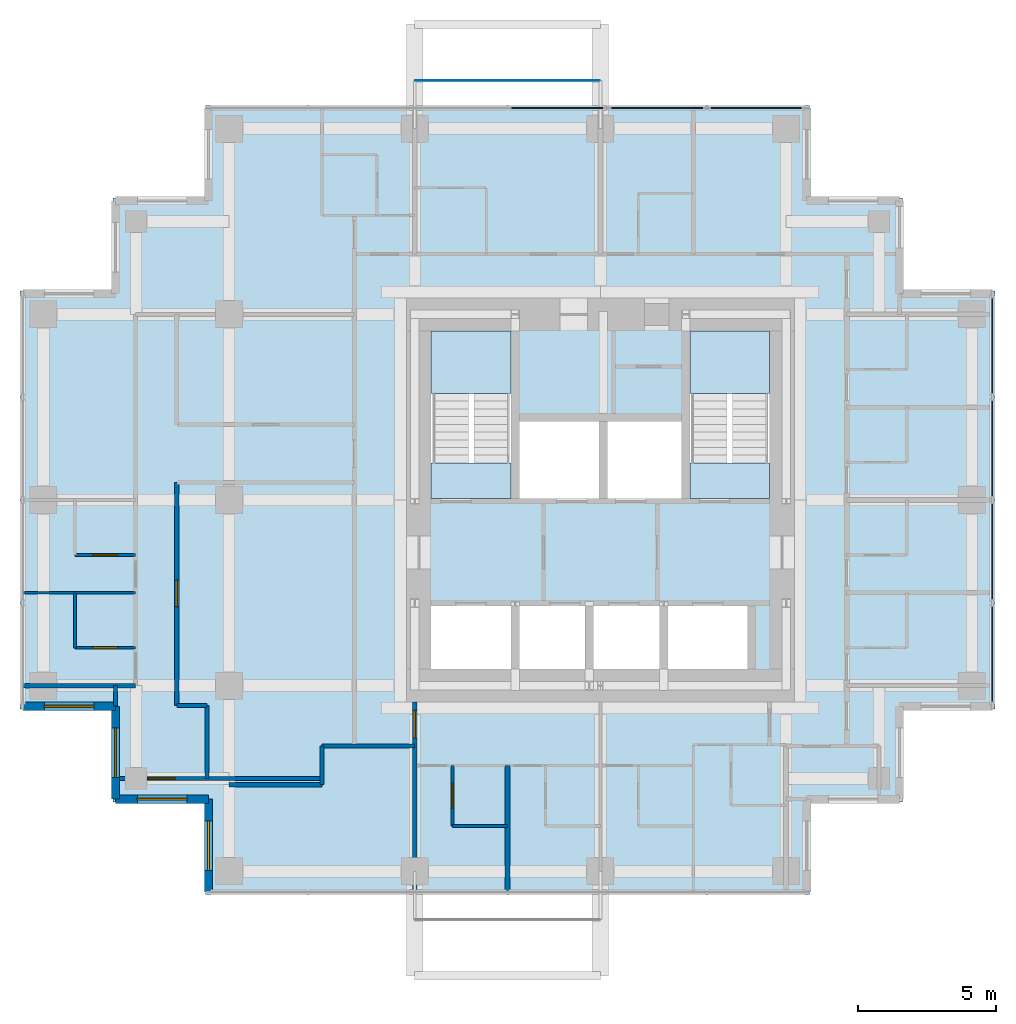
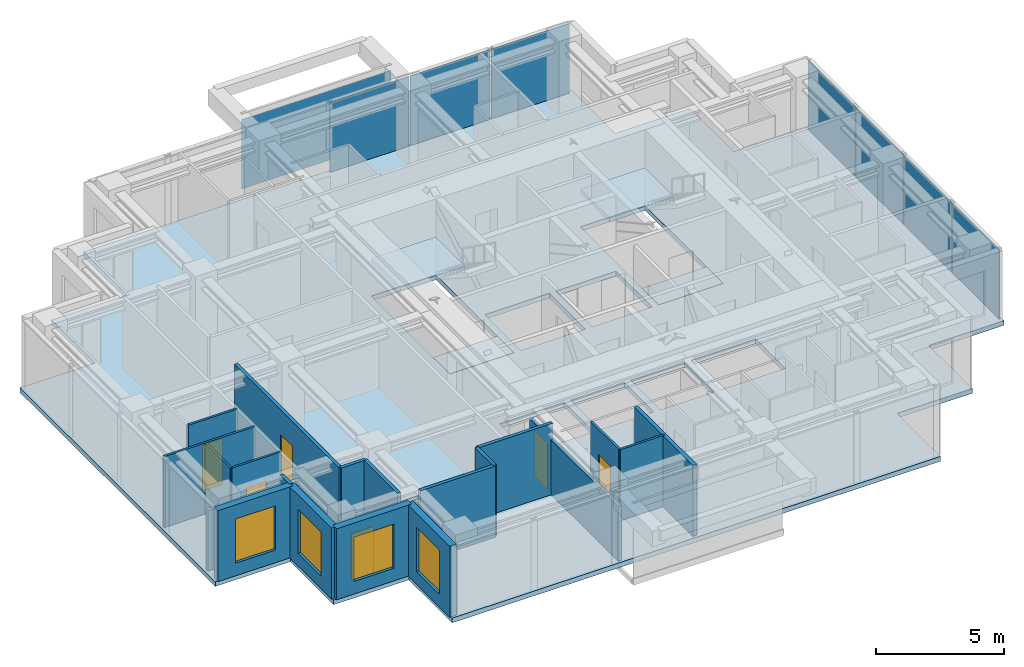
# One storey, part 3 of 8: 21 walls, 8 plates, 6 doors, 5 slabs, 4 windows, 10 openings, 4 elements without a shape of their own.
"""IFC4 building model written with IfcOpenShell, lengths in metres."""

from ifc_helpers import new_model, si_unit, direction, frame, frame_2d, origin, origin_2d, place, context, subcontext, project, spatial, polyline, rectangle, outline, extrude, material, layer, layer_set, type_object, element, fill, aggregate, save


model = new_model("IFC4")

# Units and contexts
model_context = context("Model", 3, precision=1e-05, world=origin(), true_north=direction((0.0, 1.0)))
body_context = subcontext(model_context, "Body", "Model", "MODEL_VIEW")
ifc_project = project(units=[si_unit("LENGTHUNIT", "METRE"), si_unit("AREAUNIT", "SQUARE_METRE"), si_unit("VOLUMEUNIT", "CUBIC_METRE"), si_unit("PLANEANGLEUNIT", "RADIAN"), si_unit("MASSUNIT", "GRAM", prefix="KILO")], contexts=[model_context])

# Site, building, storey
site_placement = place(None, origin())
site = spatial("IfcSite", under=ifc_project, at=site_placement, CompositionType="ELEMENT")
building_placement = place(site_placement, origin())
building = spatial("IfcBuilding", under=site, at=building_placement, Name="Nyansa Garden Tower", CompositionType="ELEMENT")
storey_placement = place(building_placement, frame((0.0, 0.0, 243.89990234375)))
storey = spatial("IfcBuildingStorey", under=building, at=storey_placement, Name="L66", CompositionType="ELEMENT", Elevation=243.89990234375)

# Curtain wall, plates
ifc_material_1 = material(Name="Black anodised aluminium, dark tinted double glazing", Category="aluminium")
curtain_wall_type = type_object("IfcCurtainWallType", Name="Inner skin curtain wall ISW-D", PredefinedType="USERDEFINED", material=ifc_material_1)
curtain_wall_1_placement = place(storey_placement, origin())
curtain_wall_1 = element("IfcCurtainWall", 1, at=curtain_wall_1_placement, inside=storey, type_object=curtain_wall_type, Name="Inner skin curtain wall L66 E", ObjectType="UNITISED CURTAIN WALL", PredefinedType="USERDEFINED")
ifc_material_2 = material(Name="Dark tinted laminated double glazing", Category="glass")
ifc_layer_1 = layer(ifc_material_2, 0.0439453125)
ifc_layer_set_1 = layer_set([ifc_layer_1], Name="Dark tinted vision panel VP-D")
plate_type_1 = type_object("IfcPlateType", Name="Dark tinted vision panel VP-D", PredefinedType="CURTAIN_PANEL", material=ifc_layer_set_1)
plate_1_placement = place(storey_placement, frame((34.5, 14.642578125, 0.0), z_axis=(0.0, 0.0, 1.0), x_axis=(0.0, 1.0, 0.0)))
plate_1 = element("IfcPlate", 2, at=plate_1_placement, type_object=plate_type_1, Name="ISW-D panel 1", PredefinedType="CURTAIN_PANEL", context=body_context, shape_type="SweptSolid", body=[
    extrude(rectangle(XDim=3.64501953125, YDim=0.0439453125, at=origin_2d()), origin(), (0.0, 0.0, 1.0), 3.304931640625),
])
plate_2_placement = place(storey_placement, frame((34.5, 18.375, 0.0), z_axis=(0.0, 0.0, 1.0), x_axis=(0.0, 1.0, 0.0)))
plate_2 = element("IfcPlate", 3, at=plate_2_placement, type_object=plate_type_1, Name="ISW-D panel 2", PredefinedType="CURTAIN_PANEL", context=body_context, shape_type="SweptSolid", body=[
    extrude(rectangle(XDim=3.679931640625, YDim=0.0439453125, at=origin_2d()), origin(), (0.0, 0.0, 1.0), 3.304931640625),
])
plate_3_placement = place(storey_placement, frame((34.5, 22.125, 0.0), z_axis=(0.0, 0.0, 1.0), x_axis=(0.0, 1.0, 0.0)))
plate_3 = element("IfcPlate", 4, at=plate_3_placement, type_object=plate_type_1, Name="ISW-D panel 3", PredefinedType="CURTAIN_PANEL", context=body_context, shape_type="SweptSolid", body=[
    extrude(rectangle(XDim=3.679931640625, YDim=0.0439453125, at=origin_2d()), origin(), (0.0, 0.0, 1.0), 3.304931640625),
])
plate_4_placement = place(storey_placement, frame((34.5, 25.857421875, 0.0), z_axis=(0.0, 0.0, 1.0), x_axis=(0.0, 1.0, 0.0)))
plate_4 = element("IfcPlate", 5, at=plate_4_placement, type_object=plate_type_1, Name="ISW-D panel 4", PredefinedType="CURTAIN_PANEL", context=body_context, shape_type="SweptSolid", body=[
    extrude(rectangle(XDim=3.64501953125, YDim=0.0439453125, at=origin_2d()), origin(), (0.0, 0.0, 1.0), 3.304931640625),
])
aggregate(curtain_wall_1, [plate_1, plate_2, plate_3, plate_4])

curtain_wall_2_placement = place(storey_placement, origin())
curtain_wall_2 = element("IfcCurtainWall", 6, at=curtain_wall_2_placement, inside=storey, type_object=curtain_wall_type, Name="Inner skin curtain wall L66 N", ObjectType="UNITISED CURTAIN WALL", PredefinedType="USERDEFINED")
plate_5_placement = place(storey_placement, frame((25.919921875, 34.5, 0.0), z_axis=(0.0, 0.0, 1.0), x_axis=(-1.0, 0.0, 0.0)))
plate_5 = element("IfcPlate", 7, at=plate_5_placement, type_object=plate_type_1, Name="ISW-D panel 1", PredefinedType="CURTAIN_PANEL", context=body_context, shape_type="SweptSolid", body=[
    extrude(rectangle(XDim=3.52001953125, YDim=0.0439453125, at=origin_2d()), origin(), (0.0, 0.0, 1.0), 3.304931640625),
])
plate_6_placement = place(storey_placement, frame((22.3125, 34.5, 0.0), z_axis=(0.0, 0.0, 1.0), x_axis=(-1.0, 0.0, 0.0)))
plate_6 = element("IfcPlate", 8, at=plate_6_placement, type_object=plate_type_1, Name="ISW-D panel 2", PredefinedType="CURTAIN_PANEL", context=body_context, shape_type="SweptSolid", body=[
    extrude(rectangle(XDim=3.554931640625, YDim=0.0439453125, at=origin_2d()), origin(), (0.0, 0.0, 1.0), 3.304931640625),
])
plate_7_placement = place(storey_placement, frame((18.6875, 34.5, 0.0), z_axis=(0.0, 0.0, 1.0), x_axis=(-1.0, 0.0, 0.0)))
plate_7 = element("IfcPlate", 9, at=plate_7_placement, type_object=plate_type_1, Name="ISW-D panel 3", PredefinedType="CURTAIN_PANEL", context=body_context, shape_type="SweptSolid", body=[
    extrude(rectangle(XDim=3.554931640625, YDim=0.0439453125, at=origin_2d()), origin(), (0.0, 0.0, 1.0), 3.304931640625),
])
aggregate(curtain_wall_2, [plate_5, plate_6, plate_7])

# Slab
ifc_material_3 = material(Name="Concrete C40/50", Category="concrete")
ifc_layer_2 = layer(ifc_material_3, 0.22509765625)
ifc_layer_set_2 = layer_set([ifc_layer_2], Name="Floor slab FS225")
slab_type_1 = type_object("IfcSlabType", Name="Floor slab FS225", PredefinedType="FLOOR", material=ifc_layer_set_2)
slab_1_placement = place(storey_placement, frame((0.0, 0.0, -0.224853515625)))
element("IfcSlab", 10, at=slab_1_placement, inside=storey, type_object=slab_type_1, Name="Floor slab L66", PredefinedType="FLOOR", context=body_context, shape_type="SweptSolid", body=[
    extrude(outline(polyline([(34.60009765625, 12.64990234375), (31.22509765625, 12.64990234375), (31.22509765625, 9.27490234375), (27.85009765625, 9.27490234375), (27.85009765625, 5.89990234375), (5.89990234375, 5.89990234375), (5.89990234375, 9.27490234375), (2.52490234375, 9.27490234375), (2.52490234375, 12.64990234375), (-0.85009765625, 12.64990234375), (-0.85009765625, 27.85009765625), (2.52490234375, 27.85009765625), (2.52490234375, 31.22509765625), (5.89990234375, 31.22509765625), (5.89990234375, 34.60009765625), (27.85009765625, 34.60009765625), (27.85009765625, 31.22509765625), (31.22509765625, 31.22509765625), (31.22509765625, 27.85009765625), (34.60009765625, 27.85009765625), (34.60009765625, 12.64990234375)]), holes=[polyline([(14.10009765625, 14.10009765625), (17.0, 14.10009765625), (17.0, 16.39990234375), (14.10009765625, 16.39990234375), (14.10009765625, 14.10009765625)]), polyline([(17.300048828125, 14.10009765625), (19.699951171875, 14.10009765625), (19.699951171875, 16.39990234375), (17.300048828125, 16.39990234375), (17.300048828125, 14.10009765625)]), polyline([(20.0, 14.10009765625), (22.39990234375, 14.10009765625), (22.39990234375, 16.39990234375), (20.0, 16.39990234375), (20.0, 14.10009765625)]), polyline([(22.699951171875, 14.10009765625), (25.60009765625, 14.10009765625), (25.60009765625, 16.39990234375), (22.699951171875, 16.39990234375), (22.699951171875, 14.10009765625)]), polyline([(17.300048828125, 20.300048828125), (20.199951171875, 20.300048828125), (20.199951171875, 23.10009765625), (17.300048828125, 23.10009765625), (17.300048828125, 20.300048828125)]), polyline([(20.5, 20.300048828125), (23.199951171875, 20.300048828125), (23.199951171875, 23.10009765625), (20.5, 23.10009765625), (20.5, 20.300048828125)]), polyline([(14.10009765625, 20.300048828125), (17.0, 20.300048828125), (17.0, 26.39990234375), (14.10009765625, 26.39990234375), (14.10009765625, 20.300048828125)]), polyline([(23.5, 20.300048828125), (26.39990234375, 20.300048828125), (26.39990234375, 26.39990234375), (23.5, 26.39990234375), (23.5, 20.300048828125)])]), origin(), (0.0, 0.0, 1.0), 0.224853515625),
])

# Plate
ifc_material_4 = material(Name="Dark tinted laminated glass", Category="glass")
ifc_layer_3 = layer(ifc_material_4, 0.02392578125)
ifc_layer_set_3 = layer_set([ifc_layer_3], Name="Outer skin glass panel OS1")
plate_type_2 = type_object("IfcPlateType", Name="Outer skin glass panel OS1", PredefinedType="USERDEFINED", material=ifc_layer_set_3)
plate_8_placement = place(storey_placement, frame((16.875, 35.5, -0.22509765625), z_axis=(0.0, 0.0, 1.0), x_axis=(1.0, 0.0, 0.0)))
element("IfcPlate", 11, at=plate_8_placement, inside=storey, type_object=plate_type_2, Name="Outer skin glass panel L66", ObjectType="OUTER SKIN GLASS", PredefinedType="USERDEFINED", context=body_context, shape_type="SweptSolid", body=[
    extrude(rectangle(XDim=6.7099609375, YDim=0.02392578125, at=origin_2d()), origin(), (0.0, 0.0, 1.0), 3.300048828125),
])

# Stair, slabs
ifc_material_5 = material(Name="Precast concrete C40/50", Category="concrete")
stair_type_1 = type_object("IfcStairType", Name="Stair S1 180x280", PredefinedType="HALF_TURN_STAIR", material=ifc_material_5)
stair_1_placement = place(storey_placement, origin())
stair_1 = element("IfcStair", 12, at=stair_1_placement, inside=storey, type_object=stair_type_1, Name="Stair S1 L66", PredefinedType="HALF_TURN_STAIR")
ifc_material_6 = material(Name="Concrete C40/50", Category="concrete")
ifc_layer_4 = layer(ifc_material_6, 0.199951171875)
ifc_layer_set_4 = layer_set([ifc_layer_4], Name="Stair landing SL200")
slab_type_2 = type_object("IfcSlabType", Name="Stair landing SL200", PredefinedType="LANDING", material=ifc_layer_set_4)
slab_2_placement = place(storey_placement, frame((0.0, 0.0, -0.199951171875)))
slab_2 = element("IfcSlab", 13, at=slab_2_placement, type_object=slab_type_2, Name="S1 landing 1", PredefinedType="LANDING", context=body_context, shape_type="SweptSolid", body=[
    extrude(outline(polyline([(14.10009765625, 20.300048828125), (17.0, 20.300048828125), (17.0, 21.60009765625), (14.10009765625, 21.60009765625), (14.10009765625, 20.300048828125)])), origin(), (0.0, 0.0, 1.0), 0.199951171875),
])
slab_3_placement = place(storey_placement, frame((0.0, 0.0, 1.60009765625)))
slab_3 = element("IfcSlab", 14, at=slab_3_placement, type_object=slab_type_2, Name="S1 landing 2", PredefinedType="LANDING", context=body_context, shape_type="SweptSolid", body=[
    extrude(outline(polyline([(14.10009765625, 24.1201171875), (17.0, 24.1201171875), (17.0, 26.39990234375), (14.10009765625, 26.39990234375), (14.10009765625, 24.1201171875)])), origin(), (0.0, 0.0, 1.0), 0.199951171875),
])
aggregate(stair_1, [slab_2, slab_3])

ifc_material_7 = material(Name="Precast concrete C40/50", Category="concrete")
stair_type_2 = type_object("IfcStairType", Name="Stair S2 180x280", PredefinedType="HALF_TURN_STAIR", material=ifc_material_7)
stair_2_placement = place(storey_placement, origin())
stair_2 = element("IfcStair", 15, at=stair_2_placement, inside=storey, type_object=stair_type_2, Name="Stair S2 L66", PredefinedType="HALF_TURN_STAIR")
slab_4_placement = place(storey_placement, frame((0.0, 0.0, -0.199951171875)))
slab_4 = element("IfcSlab", 16, at=slab_4_placement, type_object=slab_type_2, Name="S2 landing 1", PredefinedType="LANDING", context=body_context, shape_type="SweptSolid", body=[
    extrude(outline(polyline([(23.5, 20.300048828125), (26.39990234375, 20.300048828125), (26.39990234375, 21.60009765625), (23.5, 21.60009765625), (23.5, 20.300048828125)])), origin(), (0.0, 0.0, 1.0), 0.199951171875),
])
slab_5_placement = place(storey_placement, frame((0.0, 0.0, 1.60009765625)))
slab_5 = element("IfcSlab", 17, at=slab_5_placement, type_object=slab_type_2, Name="S2 landing 2", PredefinedType="LANDING", context=body_context, shape_type="SweptSolid", body=[
    extrude(outline(polyline([(23.5, 24.1201171875), (26.39990234375, 24.1201171875), (26.39990234375, 26.39990234375), (23.5, 26.39990234375), (23.5, 24.1201171875)])), origin(), (0.0, 0.0, 1.0), 0.199951171875),
])
aggregate(stair_2, [slab_4, slab_5])

# Walls
ifc_material_8 = material(Name="Dense blockwork, plastered both sides, 55 dB", Category="masonry")
ifc_layer_5 = layer(ifc_material_8, 0.175048828125)
ifc_layer_set_5 = layer_set([ifc_layer_5], Name="Acoustic party wall PW175")
wall_type_1 = type_object("IfcWallType", Name="Acoustic party wall PW175", PredefinedType="PARTITIONING", material=ifc_layer_set_5)
wall_1_placement = place(storey_placement, frame((-0.73388671875, 13.5, 0.0), z_axis=(0.0, 0.0, 1.0), x_axis=(1.0, 0.0, 0.0)))
element("IfcWall", 18, at=wall_1_placement, inside=storey, type_object=wall_type_1, Name="Party wall", PredefinedType="PARTITIONING", context=body_context, shape_type="SweptSolid", body=[
    extrude(rectangle(XDim=4.083984375, YDim=0.175048828125, at=frame_2d((2.0419921875, 0.0))), origin(), (0.0, 0.0, 1.0), 2.877197265625),
])
wall_2_placement = place(storey_placement, frame((16.875, 6.01611328125, 0.0), z_axis=(0.0, 0.0, 1.0), x_axis=(0.0, 1.0, 0.0)))
element("IfcWall", 19, at=wall_2_placement, inside=storey, type_object=wall_type_1, Name="Party wall", PredefinedType="PARTITIONING", context=body_context, shape_type="SweptSolid", body=[
    extrude(rectangle(XDim=4.583984375, YDim=0.175048828125, at=frame_2d((2.2919921875, 0.0))), origin(), (0.0, 0.0, 1.0), 3.375),
])
ifc_material_9 = material(Name="Blockwork, plastered both sides", Category="masonry")
ifc_layer_6 = layer(ifc_material_9, 0.14990234375)
ifc_layer_set_6 = layer_set([ifc_layer_6], Name="Partition PW150")
wall_type_2 = type_object("IfcWallType", Name="Partition PW150", PredefinedType="PARTITIONING", material=ifc_layer_set_6)
wall_3_placement = place(storey_placement, frame((2.625, 12.76611328125, 0.0), z_axis=(0.0, 0.0, 1.0), x_axis=(0.0, 1.0, 0.0)))
element("IfcWall", 20, at=wall_3_placement, inside=storey, type_object=wall_type_2, Name="Partition", PredefinedType="PARTITIONING", context=body_context, shape_type="SweptSolid", body=[
    extrude(rectangle(XDim=0.73388671875, YDim=0.14990234375, at=frame_2d((0.366943359375, 0.0))), origin(), (0.0, 0.0, 1.0), 3.375),
])

# Wall, opening, door
wall_4_placement = place(storey_placement, frame((2.77490234375, 10.125, 0.0), z_axis=(0.0, 0.0, 1.0), x_axis=(1.0, 0.0, 0.0)))
wall_4 = element("IfcWall", 21, at=wall_4_placement, inside=storey, type_object=wall_type_2, Name="Partition", PredefinedType="PARTITIONING", context=body_context, shape_type="SweptSolid", body=[
    extrude(rectangle(XDim=7.35009765625, YDim=0.14990234375, at=frame_2d((3.675048828125, 0.0))), origin(), (0.0, 0.0, 1.0), 2.877197265625),
])
opening_1_placement = place(wall_4_placement, frame((1.01611328125, 0.0, 0.0)))
opening_1 = element("IfcOpeningElement", 22, at=opening_1_placement, cuts=wall_4, Name="Opening D03", PredefinedType="OPENING", context=body_context, shape_type="SweptSolid", body=[
    extrude(rectangle(XDim=1.0, YDim=2.199951171875, at=frame_2d((0.5, 1.10009765625))), frame((0.0, 0.0849609375, 0.0), z_axis=(0.0, -1.0, 0.0), x_axis=(1.0, 0.0, 0.0)), (0.0, 0.0, 1.0), 0.169921875),
])
ifc_material_10 = material(Name="Timber flush door, 60 minute fire resisting", Category="wood")
door_type_1 = type_object("IfcDoorType", Name="Cluster entrance door D03 1000x2200", OperationType="SINGLE_SWING_LEFT", PredefinedType="DOOR", material=ifc_material_10)
door_1_placement = place(opening_1_placement, origin())
door_1 = element("IfcDoor", 23, at=door_1_placement, inside=storey, type_object=door_type_1, Name="Door L66-017", OperationType="SINGLE_SWING_LEFT", OverallHeight=2.199951171875, OverallWidth=1.0, PredefinedType="DOOR", context=body_context, shape_type="SweptSolid", body=[
    extrude(rectangle(XDim=1.0, YDim=2.199951171875, at=frame_2d((0.5, 1.10009765625))), frame((0.0, 0.02490234375, 0.0), z_axis=(0.0, -1.0, 0.0), x_axis=(1.0, 0.0, 0.0)), (0.0, 0.0, 1.0), 0.050048828125),
])
fill(opening_1, door_1)

wall_5_placement = place(storey_placement, frame((4.85009765625, 12.77490234375, 0.0), z_axis=(0.0, 0.0, 1.0), x_axis=(0.0, 1.0, 0.0)))
wall_5 = element("IfcWall", 24, at=wall_5_placement, inside=storey, type_object=wall_type_2, Name="Partition", PredefinedType="PARTITIONING", context=body_context, shape_type="SweptSolid", body=[
    extrude(rectangle(XDim=8.112548828125, YDim=0.14990234375, at=frame_2d((4.05615234375, 0.0))), origin(), (0.0, 0.0, 1.0), 3.375),
])
opening_2_placement = place(wall_5_placement, frame((3.60009765625, 0.0, 0.0)))
opening_2 = element("IfcOpeningElement", 25, at=opening_2_placement, cuts=wall_5, Name="Opening D01", PredefinedType="OPENING", context=body_context, shape_type="SweptSolid", body=[
    extrude(rectangle(XDim=0.949951171875, YDim=2.199951171875, at=frame_2d((0.47509765625, 1.10009765625))), frame((0.0, 0.0849609375, 0.0), z_axis=(0.0, -1.0, 0.0), x_axis=(1.0, 0.0, 0.0)), (0.0, 0.0, 1.0), 0.169921875),
])
ifc_material_11 = material(Name="Timber flush door, 30 minute fire resisting", Category="wood")
door_type_2 = type_object("IfcDoorType", Name="Bedroom door D01 950x2200", OperationType="SINGLE_SWING_LEFT", PredefinedType="DOOR", material=ifc_material_11)
door_2_placement = place(opening_2_placement, origin())
door_2 = element("IfcDoor", 26, at=door_2_placement, inside=storey, type_object=door_type_2, Name="Door L66-054", OperationType="SINGLE_SWING_LEFT", OverallHeight=2.199951171875, OverallWidth=0.949951171875, PredefinedType="DOOR", context=body_context, shape_type="SweptSolid", body=[
    extrude(rectangle(XDim=0.949951171875, YDim=2.199951171875, at=frame_2d((0.47509765625, 1.10009765625))), frame((0.0, 0.02490234375, 0.0), z_axis=(0.0, -1.0, 0.0), x_axis=(1.0, 0.0, 0.0)), (0.0, 0.0, 1.0), 0.050048828125),
])
fill(opening_2, door_2)

# Walls
wall_6_placement = place(storey_placement, frame((4.85009765625, 12.77490234375, 0.0), z_axis=(0.0, 0.0, 1.0), x_axis=(1.0, 0.0, 0.0)))
element("IfcWall", 27, at=wall_6_placement, inside=storey, type_object=wall_type_2, Name="Partition", PredefinedType="PARTITIONING", context=body_context, shape_type="SweptSolid", body=[
    extrude(rectangle(XDim=1.099853515625, YDim=0.14990234375, at=frame_2d((0.5498046875, 0.0))), origin(), (0.0, 0.0, 1.0), 3.375),
])
wall_7_placement = place(storey_placement, frame((5.949951171875, 10.125, 0.0), z_axis=(0.0, 0.0, 1.0), x_axis=(0.0, 1.0, 0.0)))
element("IfcWall", 28, at=wall_7_placement, inside=storey, type_object=wall_type_2, Name="Partition", PredefinedType="PARTITIONING", context=body_context, shape_type="SweptSolid", body=[
    extrude(rectangle(XDim=2.64990234375, YDim=0.14990234375, at=frame_2d((1.324951171875, 0.0))), origin(), (0.0, 0.0, 1.0), 3.375),
])
wall_8_placement = place(storey_placement, frame((6.75, 9.89990234375, 0.0), z_axis=(0.0, 0.0, 1.0), x_axis=(1.0, 0.0, 0.0)))
element("IfcWall", 29, at=wall_8_placement, inside=storey, type_object=wall_type_2, Name="Partition", PredefinedType="PARTITIONING", context=body_context, shape_type="SweptSolid", body=[
    extrude(rectangle(XDim=3.375, YDim=0.14990234375, at=frame_2d((1.6875, 0.0))), origin(), (0.0, 0.0, 1.0), 3.375),
])
wall_9_placement = place(storey_placement, frame((10.125, 9.89990234375, 0.0), z_axis=(0.0, 0.0, 1.0), x_axis=(0.0, 1.0, 0.0)))
element("IfcWall", 30, at=wall_9_placement, inside=storey, type_object=wall_type_2, Name="Partition", PredefinedType="PARTITIONING", context=body_context, shape_type="SweptSolid", body=[
    extrude(rectangle(XDim=1.400146484375, YDim=0.14990234375, at=frame_2d((0.7001953125, 0.0))), origin(), (0.0, 0.0, 1.0), 3.375),
])
wall_10_placement = place(storey_placement, frame((10.125, 11.300048828125, 0.0), z_axis=(0.0, 0.0, 1.0), x_axis=(1.0, 0.0, 0.0)))
element("IfcWall", 31, at=wall_10_placement, inside=storey, type_object=wall_type_2, Name="Partition", PredefinedType="PARTITIONING", context=body_context, shape_type="SweptSolid", body=[
    extrude(rectangle(XDim=3.375, YDim=0.14990234375, at=frame_2d((1.6875, 0.0))), origin(), (0.0, 0.0, 1.0), 3.375),
])

# Wall, opening, door
wall_11_placement = place(storey_placement, frame((13.5, 6.01611328125, 0.0), z_axis=(0.0, 0.0, 1.0), x_axis=(0.0, 1.0, 0.0)))
wall_11 = element("IfcWall", 32, at=wall_11_placement, inside=storey, type_object=wall_type_2, Name="Partition", PredefinedType="PARTITIONING", context=body_context, shape_type="SweptSolid", body=[
    extrude(rectangle(XDim=6.8837890625, YDim=0.14990234375, at=frame_2d((3.44189453125, 0.0))), origin(), (0.0, 0.0, 1.0), 2.610107421875),
])
opening_3_placement = place(wall_11_placement, frame((5.583984375, 0.0, 0.0)))
opening_3 = element("IfcOpeningElement", 33, at=opening_3_placement, cuts=wall_11, Name="Opening D03", PredefinedType="OPENING", context=body_context, shape_type="SweptSolid", body=[
    extrude(rectangle(XDim=1.0, YDim=2.199951171875, at=frame_2d((0.5, 1.10009765625))), frame((0.0, 0.0849609375, 0.0), z_axis=(0.0, -1.0, 0.0), x_axis=(1.0, 0.0, 0.0)), (0.0, 0.0, 1.0), 0.169921875),
])
door_3_placement = place(opening_3_placement, origin())
door_3 = element("IfcDoor", 34, at=door_3_placement, inside=storey, type_object=door_type_1, Name="Door L66-022", OperationType="SINGLE_SWING_LEFT", OverallHeight=2.199951171875, OverallWidth=1.0, PredefinedType="DOOR", context=body_context, shape_type="SweptSolid", body=[
    extrude(rectangle(XDim=1.0, YDim=2.199951171875, at=frame_2d((0.5, 1.10009765625))), frame((0.0, 0.02490234375, 0.0), z_axis=(0.0, -1.0, 0.0), x_axis=(1.0, 0.0, 0.0)), (0.0, 0.0, 1.0), 0.050048828125),
])
fill(opening_3, door_3)

# Wall, opening, window
ifc_material_12 = material(Name="Turquoise glazed tile on concrete blockwork", Category="masonry")
ifc_layer_7 = layer(ifc_material_12, 0.300048828125)
ifc_layer_set_7 = layer_set([ifc_layer_7], Name="Tiled corner wall TW300")
wall_type_3 = type_object("IfcWallType", Name="Tiled corner wall TW300", PredefinedType="SOLIDWALL", material=ifc_layer_set_7)
wall_12_placement = place(storey_placement, frame((-0.75, 12.75, 0.0), z_axis=(0.0, 0.0, 1.0), x_axis=(1.0, 0.0, 0.0)))
wall_12 = element("IfcWall", 35, at=wall_12_placement, inside=storey, type_object=wall_type_3, Name="Tiled corner wall L66", PredefinedType="SOLIDWALL", context=body_context, shape_type="SweptSolid", body=[
    extrude(rectangle(XDim=3.375, YDim=0.300048828125, at=frame_2d((1.6875, 0.0))), origin(), (0.0, 0.0, 1.0), 3.375),
])
opening_4_placement = place(wall_12_placement, frame((0.78759765625, 0.0, 0.60009765625)))
opening_4 = element("IfcOpeningElement", 36, at=opening_4_placement, cuts=wall_12, Name="Opening W2", PredefinedType="OPENING", context=body_context, shape_type="SweptSolid", body=[
    extrude(rectangle(XDim=1.800048828125, YDim=2.10009765625, at=frame_2d((0.89990234375, 1.050048828125))), frame((0.0, 0.159912109375, 0.0), z_axis=(0.0, -1.0, 0.0), x_axis=(1.0, 0.0, 0.0)), (0.0, 0.0, 1.0), 0.320068359375),
])
ifc_material_13 = material(Name="Black aluminium frame, dark tinted double glazing", Category="aluminium")
window_type = type_object("IfcWindowType", Name="Window W2 1800x2100", PartitioningType="SINGLE_PANEL", PredefinedType="WINDOW", material=ifc_material_13)
window_1_placement = place(opening_4_placement, origin())
window_1 = element("IfcWindow", 37, at=window_1_placement, inside=storey, type_object=window_type, Name="Corner window L66", OverallHeight=2.10009765625, OverallWidth=1.800048828125, PartitioningType="SINGLE_PANEL", PredefinedType="WINDOW", context=body_context, shape_type="SweptSolid", body=[
    extrude(rectangle(XDim=1.800048828125, YDim=2.10009765625, at=frame_2d((0.89990234375, 1.050048828125))), frame((0.0, 0.030029296875, 0.0), z_axis=(0.0, -1.0, 0.0), x_axis=(1.0, 0.0, 0.0)), (0.0, 0.0, 1.0), 0.06005859375),
])
fill(opening_4, window_1)

wall_13_placement = place(storey_placement, frame((2.625, 12.75, 0.0), z_axis=(0.0, 0.0, 1.0), x_axis=(0.0, -1.0, 0.0)))
wall_13 = element("IfcWall", 38, at=wall_13_placement, inside=storey, type_object=wall_type_3, Name="Tiled corner wall L66", PredefinedType="SOLIDWALL", context=body_context, shape_type="SweptSolid", body=[
    extrude(rectangle(XDim=3.375, YDim=0.300048828125, at=frame_2d((1.6875, 0.0))), origin(), (0.0, 0.0, 1.0), 3.375),
])
opening_5_placement = place(wall_13_placement, frame((0.78759765625, 0.0, 0.60009765625)))
opening_5 = element("IfcOpeningElement", 39, at=opening_5_placement, cuts=wall_13, Name="Opening W2", PredefinedType="OPENING", context=body_context, shape_type="SweptSolid", body=[
    extrude(rectangle(XDim=1.800048828125, YDim=2.10009765625, at=frame_2d((0.89990234375, 1.050048828125))), frame((0.0, 0.159912109375, 0.0), z_axis=(0.0, -1.0, 0.0), x_axis=(1.0, 0.0, 0.0)), (0.0, 0.0, 1.0), 0.320068359375),
])
window_2_placement = place(opening_5_placement, origin())
window_2 = element("IfcWindow", 40, at=window_2_placement, inside=storey, type_object=window_type, Name="Corner window L66", OverallHeight=2.10009765625, OverallWidth=1.800048828125, PartitioningType="SINGLE_PANEL", PredefinedType="WINDOW", context=body_context, shape_type="SweptSolid", body=[
    extrude(rectangle(XDim=1.800048828125, YDim=2.10009765625, at=frame_2d((0.89990234375, 1.050048828125))), frame((0.0, 0.030029296875, 0.0), z_axis=(0.0, -1.0, 0.0), x_axis=(1.0, 0.0, 0.0)), (0.0, 0.0, 1.0), 0.06005859375),
])
fill(opening_5, window_2)

wall_14_placement = place(storey_placement, frame((2.625, 9.375, 0.0), z_axis=(0.0, 0.0, 1.0), x_axis=(1.0, 0.0, 0.0)))
wall_14 = element("IfcWall", 41, at=wall_14_placement, inside=storey, type_object=wall_type_3, Name="Tiled corner wall L66", PredefinedType="SOLIDWALL", context=body_context, shape_type="SweptSolid", body=[
    extrude(rectangle(XDim=3.375, YDim=0.300048828125, at=frame_2d((1.6875, 0.0))), origin(), (0.0, 0.0, 1.0), 3.375),
])
opening_6_placement = place(wall_14_placement, frame((0.78759765625, 0.0, 0.60009765625)))
opening_6 = element("IfcOpeningElement", 42, at=opening_6_placement, cuts=wall_14, Name="Opening W2", PredefinedType="OPENING", context=body_context, shape_type="SweptSolid", body=[
    extrude(rectangle(XDim=1.800048828125, YDim=2.10009765625, at=frame_2d((0.89990234375, 1.050048828125))), frame((0.0, 0.159912109375, 0.0), z_axis=(0.0, -1.0, 0.0), x_axis=(1.0, 0.0, 0.0)), (0.0, 0.0, 1.0), 0.320068359375),
])
window_3_placement = place(opening_6_placement, origin())
window_3 = element("IfcWindow", 43, at=window_3_placement, inside=storey, type_object=window_type, Name="Corner window L66", OverallHeight=2.10009765625, OverallWidth=1.800048828125, PartitioningType="SINGLE_PANEL", PredefinedType="WINDOW", context=body_context, shape_type="SweptSolid", body=[
    extrude(rectangle(XDim=1.800048828125, YDim=2.10009765625, at=frame_2d((0.89990234375, 1.050048828125))), frame((0.0, 0.030029296875, 0.0), z_axis=(0.0, -1.0, 0.0), x_axis=(1.0, 0.0, 0.0)), (0.0, 0.0, 1.0), 0.06005859375),
])
fill(opening_6, window_3)

wall_15_placement = place(storey_placement, frame((6.0, 9.375, 0.0), z_axis=(0.0, 0.0, 1.0), x_axis=(0.0, -1.0, 0.0)))
wall_15 = element("IfcWall", 44, at=wall_15_placement, inside=storey, type_object=wall_type_3, Name="Tiled corner wall L66", PredefinedType="SOLIDWALL", context=body_context, shape_type="SweptSolid", body=[
    extrude(rectangle(XDim=3.375, YDim=0.300048828125, at=frame_2d((1.6875, 0.0))), origin(), (0.0, 0.0, 1.0), 3.375),
])
opening_7_placement = place(wall_15_placement, frame((0.78759765625, 0.0, 0.60009765625)))
opening_7 = element("IfcOpeningElement", 45, at=opening_7_placement, cuts=wall_15, Name="Opening W2", PredefinedType="OPENING", context=body_context, shape_type="SweptSolid", body=[
    extrude(rectangle(XDim=1.800048828125, YDim=2.10009765625, at=frame_2d((0.89990234375, 1.050048828125))), frame((0.0, 0.159912109375, 0.0), z_axis=(0.0, -1.0, 0.0), x_axis=(1.0, 0.0, 0.0)), (0.0, 0.0, 1.0), 0.320068359375),
])
window_4_placement = place(opening_7_placement, origin())
window_4 = element("IfcWindow", 46, at=window_4_placement, inside=storey, type_object=window_type, Name="Corner window L66", OverallHeight=2.10009765625, OverallWidth=1.800048828125, PartitioningType="SINGLE_PANEL", PredefinedType="WINDOW", context=body_context, shape_type="SweptSolid", body=[
    extrude(rectangle(XDim=1.800048828125, YDim=2.10009765625, at=frame_2d((0.89990234375, 1.050048828125))), frame((0.0, 0.030029296875, 0.0), z_axis=(0.0, -1.0, 0.0), x_axis=(1.0, 0.0, 0.0)), (0.0, 0.0, 1.0), 0.06005859375),
])
fill(opening_7, window_4)

# Walls
ifc_material_14 = material(Name="Moisture resistant board on steel studs, tiled", Category="steel")
ifc_layer_8 = layer(ifc_material_14, 0.10009765625)
ifc_layer_set_8 = layer_set([ifc_layer_8], Name="Wet wall PW100")
wall_type_4 = type_object("IfcWallType", Name="Wet wall PW100", PredefinedType="PARTITIONING", material=ifc_layer_set_8)
wall_16_placement = place(storey_placement, frame((-0.73388671875, 16.875, 0.0), z_axis=(0.0, 0.0, 1.0), x_axis=(1.0, 0.0, 0.0)))
element("IfcWall", 47, at=wall_16_placement, inside=storey, type_object=wall_type_4, Name="Wet wall", PredefinedType="PARTITIONING", context=body_context, shape_type="SweptSolid", body=[
    extrude(rectangle(XDim=4.083984375, YDim=0.10009765625, at=frame_2d((2.0419921875, 0.0))), origin(), (0.0, 0.0, 1.0), 3.375),
])
wall_17_placement = place(storey_placement, frame((1.14990234375, 14.875, 0.0), z_axis=(0.0, 0.0, 1.0), x_axis=(0.0, 1.0, 0.0)))
element("IfcWall", 48, at=wall_17_placement, inside=storey, type_object=wall_type_4, Name="Wet wall", PredefinedType="PARTITIONING", context=body_context, shape_type="SweptSolid", body=[
    extrude(rectangle(XDim=2.0, YDim=0.10009765625, at=frame_2d((1.0, 0.0))), origin(), (0.0, 0.0, 1.0), 3.375),
])

# Wall, opening, door
wall_18_placement = place(storey_placement, frame((1.14990234375, 14.875, 0.0), z_axis=(0.0, 0.0, 1.0), x_axis=(1.0, 0.0, 0.0)))
wall_18 = element("IfcWall", 49, at=wall_18_placement, inside=storey, type_object=wall_type_4, Name="Wet wall", PredefinedType="PARTITIONING", context=body_context, shape_type="SweptSolid", body=[
    extrude(rectangle(XDim=2.2001953125, YDim=0.10009765625, at=frame_2d((1.10009765625, 0.0))), origin(), (0.0, 0.0, 1.0), 3.375),
])
opening_8_placement = place(wall_18_placement, frame((0.64990234375, 0.0, 0.0)))
opening_8 = element("IfcOpeningElement", 50, at=opening_8_placement, cuts=wall_18, Name="Opening D02", PredefinedType="OPENING", context=body_context, shape_type="SweptSolid", body=[
    extrude(rectangle(XDim=0.89990234375, YDim=2.199951171875, at=frame_2d((0.449951171875, 1.10009765625))), frame((0.0, 0.06005859375, 0.0), z_axis=(0.0, -1.0, 0.0), x_axis=(1.0, 0.0, 0.0)), (0.0, 0.0, 1.0), 0.1201171875),
])
ifc_material_15 = material(Name="Timber flush door", Category="wood")
door_type_3 = type_object("IfcDoorType", Name="En-suite door D02 900x2200", OperationType="SINGLE_SWING_RIGHT", PredefinedType="DOOR", material=ifc_material_15)
door_4_placement = place(opening_8_placement, origin())
door_4 = element("IfcDoor", 51, at=door_4_placement, inside=storey, type_object=door_type_3, Name="Door L66-049", OperationType="SINGLE_SWING_RIGHT", OverallHeight=2.199951171875, OverallWidth=0.89990234375, PredefinedType="DOOR", context=body_context, shape_type="SweptSolid", body=[
    extrude(rectangle(XDim=0.89990234375, YDim=2.199951171875, at=frame_2d((0.449951171875, 1.10009765625))), frame((0.0, 0.02490234375, 0.0), z_axis=(0.0, -1.0, 0.0), x_axis=(1.0, 0.0, 0.0)), (0.0, 0.0, 1.0), 0.050048828125),
])
fill(opening_8, door_4)

wall_19_placement = place(storey_placement, frame((1.14990234375, 18.25, 0.0), z_axis=(0.0, 0.0, 1.0), x_axis=(1.0, 0.0, 0.0)))
wall_19 = element("IfcWall", 52, at=wall_19_placement, inside=storey, type_object=wall_type_4, Name="Wet wall", PredefinedType="PARTITIONING", context=body_context, shape_type="SweptSolid", body=[
    extrude(rectangle(XDim=2.2001953125, YDim=0.10009765625, at=frame_2d((1.10009765625, 0.0))), origin(), (0.0, 0.0, 1.0), 3.375),
])
opening_9_placement = place(wall_19_placement, frame((0.64990234375, 0.0, 0.0)))
opening_9 = element("IfcOpeningElement", 53, at=opening_9_placement, cuts=wall_19, Name="Opening D02", PredefinedType="OPENING", context=body_context, shape_type="SweptSolid", body=[
    extrude(rectangle(XDim=0.89990234375, YDim=2.199951171875, at=frame_2d((0.449951171875, 1.10009765625))), frame((0.0, 0.06005859375, 0.0), z_axis=(0.0, -1.0, 0.0), x_axis=(1.0, 0.0, 0.0)), (0.0, 0.0, 1.0), 0.1201171875),
])
door_5_placement = place(opening_9_placement, origin())
door_5 = element("IfcDoor", 54, at=door_5_placement, inside=storey, type_object=door_type_3, Name="Door L66-051", OperationType="SINGLE_SWING_RIGHT", OverallHeight=2.199951171875, OverallWidth=0.89990234375, PredefinedType="DOOR", context=body_context, shape_type="SweptSolid", body=[
    extrude(rectangle(XDim=0.89990234375, YDim=2.199951171875, at=frame_2d((0.449951171875, 1.10009765625))), frame((0.0, 0.02490234375, 0.0), z_axis=(0.0, -1.0, 0.0), x_axis=(1.0, 0.0, 0.0)), (0.0, 0.0, 1.0), 0.050048828125),
])
fill(opening_9, door_5)

wall_20_placement = place(storey_placement, frame((14.875, 8.39990234375, 0.0), z_axis=(0.0, 0.0, 1.0), x_axis=(0.0, 1.0, 0.0)))
wall_20 = element("IfcWall", 55, at=wall_20_placement, inside=storey, type_object=wall_type_4, Name="Wet wall", PredefinedType="PARTITIONING", context=body_context, shape_type="SweptSolid", body=[
    extrude(rectangle(XDim=2.2001953125, YDim=0.10009765625, at=frame_2d((1.10009765625, 0.0))), origin(), (0.0, 0.0, 1.0), 3.375),
])
opening_10_placement = place(wall_20_placement, frame((0.64990234375, 0.0, 0.0)))
opening_10 = element("IfcOpeningElement", 56, at=opening_10_placement, cuts=wall_20, Name="Opening D02", PredefinedType="OPENING", context=body_context, shape_type="SweptSolid", body=[
    extrude(rectangle(XDim=0.89990234375, YDim=2.199951171875, at=frame_2d((0.449951171875, 1.10009765625))), frame((0.0, 0.06005859375, 0.0), z_axis=(0.0, -1.0, 0.0), x_axis=(1.0, 0.0, 0.0)), (0.0, 0.0, 1.0), 0.1201171875),
])
door_6_placement = place(opening_10_placement, origin())
door_6 = element("IfcDoor", 57, at=door_6_placement, inside=storey, type_object=door_type_3, Name="Door L66-019", OperationType="SINGLE_SWING_RIGHT", OverallHeight=2.199951171875, OverallWidth=0.89990234375, PredefinedType="DOOR", context=body_context, shape_type="SweptSolid", body=[
    extrude(rectangle(XDim=0.89990234375, YDim=2.199951171875, at=frame_2d((0.449951171875, 1.10009765625))), frame((0.0, 0.02490234375, 0.0), z_axis=(0.0, -1.0, 0.0), x_axis=(1.0, 0.0, 0.0)), (0.0, 0.0, 1.0), 0.050048828125),
])
fill(opening_10, door_6)

# Wall
wall_21_placement = place(storey_placement, frame((14.875, 8.39990234375, 0.0), z_axis=(0.0, 0.0, 1.0), x_axis=(1.0, 0.0, 0.0)))
element("IfcWall", 58, at=wall_21_placement, inside=storey, type_object=wall_type_4, Name="Wet wall", PredefinedType="PARTITIONING", context=body_context, shape_type="SweptSolid", body=[
    extrude(rectangle(XDim=2.0, YDim=0.10009765625, at=frame_2d((1.0, 0.0))), origin(), (0.0, 0.0, 1.0), 3.375),
])

save(model, "model.ifc")
